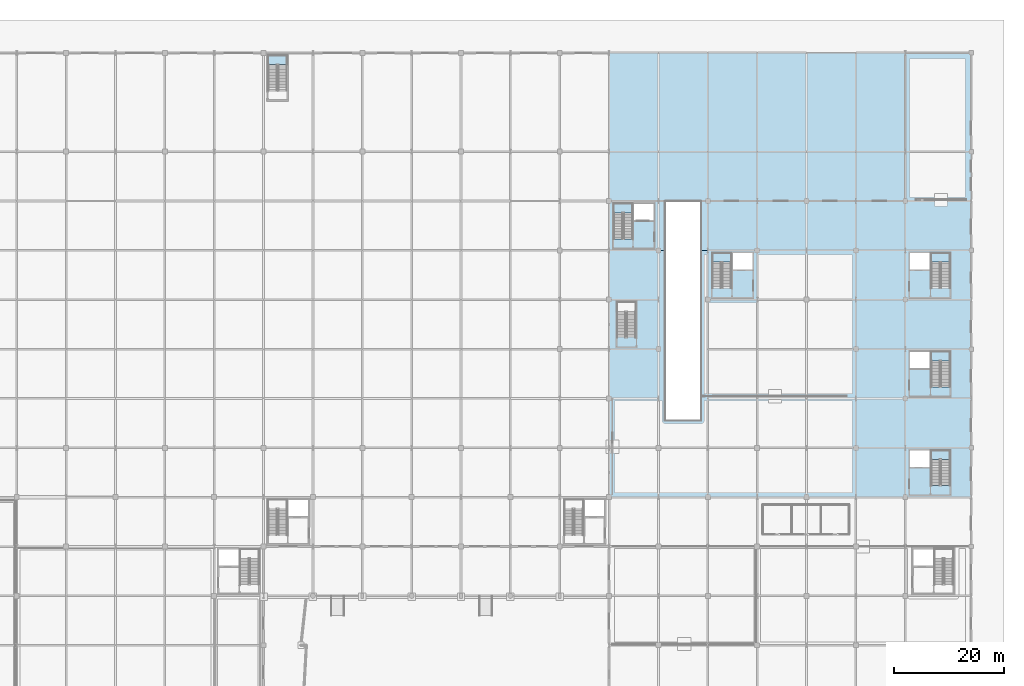
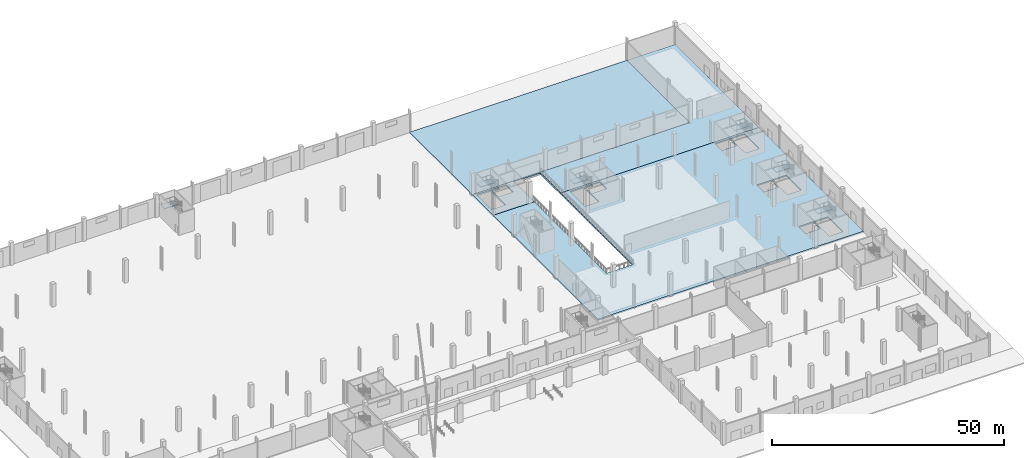
# One storey, part 25 of 58: 10 slabs, 6 elements without a shape of their own.
"""IFC4 building model written with IfcOpenShell, lengths in metres."""

from ifc_helpers import new_model, si_unit, direction, frame, origin, place, context, subcontext, project, spatial, polyline, outline, extrude, material, layer, layer_set, type_object, element, aggregate, save


model = new_model("IFC4")

# Units and contexts
model_context = context("Model", 3, precision=1e-05, world=origin(), true_north=direction((0.0, 1.0)))
body_context = subcontext(model_context, "Body", "Model", "MODEL_VIEW")
ifc_project = project(units=[si_unit("LENGTHUNIT", "METRE"), si_unit("AREAUNIT", "SQUARE_METRE"), si_unit("VOLUMEUNIT", "CUBIC_METRE"), si_unit("PLANEANGLEUNIT", "RADIAN"), si_unit("MASSUNIT", "GRAM", prefix="KILO")], contexts=[model_context])

# Site, building, storey
site_placement = place(None, origin())
site = spatial("IfcSite", under=ifc_project, at=site_placement, CompositionType="ELEMENT")
building_placement = place(site_placement, origin())
building = spatial("IfcBuilding", under=site, at=building_placement, Name="Barlavento Convention Centre", CompositionType="ELEMENT")
storey_placement = place(building_placement, origin())
storey = spatial("IfcBuildingStorey", under=building, at=storey_placement, Name="L00", CompositionType="ELEMENT", Elevation=0.0)

# Stair, slab
ifc_material = material(Name="Concrete C40/50", Category="concrete")
stair_type_1 = type_object("IfcStairType", Name="ARC-STR-DOG-1620", PredefinedType="HALF_TURN_STAIR", material=ifc_material)
stair_1_placement = place(storey_placement, origin())
stair_1 = element("IfcStair", 1, at=stair_1_placement, inside=storey, type_object=stair_type_1, Name="L00 ST05", PredefinedType="HALF_TURN_STAIR")
ifc_layer_1 = layer(ifc_material, 0.199951171875)
ifc_layer_set_1 = layer_set([ifc_layer_1], Name="ARC-SLB-LND-200")
slab_type_1 = type_object("IfcSlabType", Name="ARC-SLB-LND-200", PredefinedType="LANDING", material=ifc_layer_set_1)
slab_1_placement = place(storey_placement, frame((0.0, 0.0, 2.800048828125)))
slab_1 = element("IfcSlab", 2, at=slab_1_placement, type_object=slab_type_1, Name="ST05 landing 1", PredefinedType="LANDING", context=body_context, shape_type="SweptSolid", body=[
    extrude(outline(polyline([(188.14990234375, 60.85009765625), (188.14990234375, 62.530029296875), (184.7099609375, 62.530029296875), (184.7099609375, 60.85009765625), (188.14990234375, 60.85009765625)])), origin(), (0.0, 0.0, 1.0), 0.199951171875),
])
aggregate(stair_1, [slab_1])

stair_2_placement = place(storey_placement, origin())
stair_2 = element("IfcStair", 3, at=stair_2_placement, inside=storey, type_object=stair_type_1, Name="L00 ST07", PredefinedType="HALF_TURN_STAIR")
slab_2_placement = place(storey_placement, frame((0.0, 0.0, 2.800048828125)))
slab_2 = element("IfcSlab", 4, at=slab_2_placement, type_object=slab_type_1, Name="ST07 landing 1", PredefinedType="LANDING", context=body_context, shape_type="SweptSolid", body=[
    extrude(outline(polyline([(188.14990234375, 78.85009765625), (188.14990234375, 80.530029296875), (184.7099609375, 80.530029296875), (184.7099609375, 78.85009765625), (188.14990234375, 78.85009765625)])), origin(), (0.0, 0.0, 1.0), 0.199951171875),
])
aggregate(stair_2, [slab_2])

stair_3_placement = place(storey_placement, origin())
stair_3 = element("IfcStair", 5, at=stair_3_placement, inside=storey, type_object=stair_type_1, Name="L00 ST08", PredefinedType="HALF_TURN_STAIR")
slab_3_placement = place(storey_placement, frame((0.0, 0.0, 2.800048828125)))
slab_3 = element("IfcSlab", 6, at=slab_3_placement, type_object=slab_type_1, Name="ST08 landing 1", PredefinedType="LANDING", context=body_context, shape_type="SweptSolid", body=[
    extrude(outline(polyline([(188.14990234375, 96.85009765625), (188.14990234375, 98.530029296875), (184.7099609375, 98.530029296875), (184.7099609375, 96.85009765625), (188.14990234375, 96.85009765625)])), origin(), (0.0, 0.0, 1.0), 0.199951171875),
])
aggregate(stair_3, [slab_3])

stair_4_placement = place(storey_placement, origin())
stair_4 = element("IfcStair", 7, at=stair_4_placement, inside=storey, type_object=stair_type_1, Name="L00 ST09", PredefinedType="HALF_TURN_STAIR")
slab_4_placement = place(storey_placement, frame((0.0, 0.0, 2.800048828125)))
slab_4 = element("IfcSlab", 8, at=slab_4_placement, type_object=slab_type_1, Name="ST09 landing 1", PredefinedType="LANDING", context=body_context, shape_type="SweptSolid", body=[
    extrude(outline(polyline([(148.2900390625, 96.85009765625), (148.2900390625, 98.530029296875), (144.85009765625, 98.530029296875), (144.85009765625, 96.85009765625), (148.2900390625, 96.85009765625)])), origin(), (0.0, 0.0, 1.0), 0.199951171875),
])
aggregate(stair_4, [slab_4])

stair_type_2 = type_object("IfcStairType", Name="ARC-STR-DOG-1600", PredefinedType="HALF_TURN_STAIR", material=ifc_material)
stair_5_placement = place(storey_placement, origin())
stair_5 = element("IfcStair", 9, at=stair_5_placement, inside=storey, type_object=stair_type_2, Name="L00 ST10", PredefinedType="HALF_TURN_STAIR")
slab_5_placement = place(storey_placement, frame((0.0, 0.0, 2.800048828125)))
slab_5 = element("IfcSlab", 10, at=slab_5_placement, type_object=slab_type_1, Name="ST10 landing 1", PredefinedType="LANDING", context=body_context, shape_type="SweptSolid", body=[
    extrude(outline(polyline([(130.25, 105.830078125), (130.25, 107.530029296875), (126.85009765625, 107.530029296875), (126.85009765625, 105.830078125), (130.25, 105.830078125)])), origin(), (0.0, 0.0, 1.0), 0.199951171875),
])
aggregate(stair_5, [slab_5])

stair_6_placement = place(storey_placement, origin())
stair_6 = element("IfcStair", 11, at=stair_6_placement, inside=storey, type_object=stair_type_1, Name="L00 ST13", PredefinedType="HALF_TURN_STAIR")
slab_6_placement = place(storey_placement, frame((0.0, 0.0, 2.800048828125)))
slab_6 = element("IfcSlab", 12, at=slab_6_placement, type_object=slab_type_1, Name="ST13 landing 1", PredefinedType="LANDING", context=body_context, shape_type="SweptSolid", body=[
    extrude(outline(polyline([(67.2900390625, 132.85009765625), (67.2900390625, 134.530029296875), (63.85009765625, 134.530029296875), (63.85009765625, 132.85009765625), (67.2900390625, 132.85009765625)])), origin(), (0.0, 0.0, 1.0), 0.199951171875),
])
aggregate(stair_6, [slab_6])

# Slabs
ifc_layer_2 = layer(ifc_material, 0.31005859375)
ifc_layer_set_2 = layer_set([ifc_layer_2], Name="ARC-SLB-PAV-300")
slab_type_2 = type_object("IfcSlabType", Name="ARC-SLB-PAV-300", PredefinedType="FLOOR", material=ifc_layer_set_2)
slab_7_placement = place(storey_placement, frame((0.0, 0.0, -0.31005859375)))
element("IfcSlab", 13, at=slab_7_placement, inside=storey, type_object=slab_type_2, Name="L00 outdoor terrace or apron slab AS-03", PredefinedType="FLOOR", context=body_context, shape_type="SweptSolid", body=[
    extrude(outline(polyline([(126.0, 108.0), (180.0, 108.0), (180.0, 135.0), (126.0, 135.0), (126.0, 108.0)])), origin(), (0.0, 0.0, 1.0), 0.31005859375),
])
ifc_layer_3 = layer(ifc_material, 0.360107421875)
ifc_layer_set_3 = layer_set([ifc_layer_3], Name="STR-SLB-FLR-360")
slab_type_3 = type_object("IfcSlabType", Name="STR-SLB-FLR-360", PredefinedType="FLOOR", material=ifc_layer_set_3)
slab_8_placement = place(storey_placement, frame((0.0, 0.0, -0.360107421875)))
element("IfcSlab", 14, at=slab_8_placement, inside=storey, type_object=slab_type_3, Name="L00 structural slab FS-005", PredefinedType="FLOOR", context=body_context, shape_type="SweptSolid", body=[
    extrude(outline(polyline([(126.0, 54.0), (192.0, 54.0), (192.0, 99.0), (142.75, 99.0), (142.75, 68.0), (136.25, 68.0), (136.25, 99.0), (126.0, 99.0), (126.0, 54.0)]), holes=[polyline([(188.14990234375, 56.114990234375), (188.14990234375, 62.530029296875), (184.7099609375, 62.530029296875), (184.7099609375, 56.114990234375), (188.14990234375, 56.114990234375)]), polyline([(180.85009765625, 59.4951171875), (184.4599609375, 59.4951171875), (184.4599609375, 62.530029296875), (180.85009765625, 62.530029296875), (180.85009765625, 59.4951171875)]), polyline([(188.14990234375, 74.114990234375), (188.14990234375, 80.530029296875), (184.7099609375, 80.530029296875), (184.7099609375, 74.114990234375), (188.14990234375, 74.114990234375)]), polyline([(180.85009765625, 77.4951171875), (184.4599609375, 77.4951171875), (184.4599609375, 80.530029296875), (180.85009765625, 80.530029296875), (180.85009765625, 77.4951171875)]), polyline([(188.14990234375, 92.114990234375), (188.14990234375, 98.530029296875), (184.7099609375, 98.530029296875), (184.7099609375, 92.114990234375), (188.14990234375, 92.114990234375)]), polyline([(180.85009765625, 95.4951171875), (184.4599609375, 95.4951171875), (184.4599609375, 98.530029296875), (180.85009765625, 98.530029296875), (180.85009765625, 95.4951171875)]), polyline([(148.2900390625, 92.114990234375), (148.2900390625, 98.530029296875), (144.85009765625, 98.530029296875), (144.85009765625, 92.114990234375), (148.2900390625, 92.114990234375)]), polyline([(148.5400390625, 95.4951171875), (152.14990234375, 95.4951171875), (152.14990234375, 98.530029296875), (148.5400390625, 98.530029296875), (148.5400390625, 95.4951171875)])]), origin(), (0.0, 0.0, 1.0), 0.360107421875),
])
ifc_layer_4 = layer(ifc_material, 0.419921875)
ifc_layer_set_4 = layer_set([ifc_layer_4], Name="STR-SLB-SVC-420")
slab_type_4 = type_object("IfcSlabType", Name="STR-SLB-SVC-420", PredefinedType="FLOOR", material=ifc_layer_set_4)
slab_9_placement = place(storey_placement, frame((0.0, 0.0, -0.419921875)))
element("IfcSlab", 15, at=slab_9_placement, inside=storey, type_object=slab_type_4, Name="L00 structural slab FS-006", PredefinedType="FLOOR", context=body_context, shape_type="SweptSolid", body=[
    extrude(outline(polyline([(126.0, 99.0), (136.25, 99.0), (136.25, 108.0), (126.0, 108.0), (126.0, 99.0)]), holes=[polyline([(130.25, 101.094970703125), (130.25, 107.530029296875), (126.85009765625, 107.530029296875), (126.85009765625, 101.094970703125), (130.25, 101.094970703125)]), polyline([(130.5, 104.4951171875), (134.14990234375, 104.4951171875), (134.14990234375, 107.530029296875), (130.5, 107.530029296875), (130.5, 104.4951171875)])]), origin(), (0.0, 0.0, 1.0), 0.419921875),
])
slab_10_placement = place(storey_placement, frame((0.0, 0.0, -0.419921875)))
element("IfcSlab", 16, at=slab_10_placement, inside=storey, type_object=slab_type_4, Name="L00 structural slab FS-007", PredefinedType="FLOOR", context=body_context, shape_type="SweptSolid", body=[
    extrude(outline(polyline([(142.75, 99.0), (192.0, 99.0), (192.0, 135.0), (180.0, 135.0), (180.0, 108.0), (142.75, 108.0), (142.75, 99.0)])), origin(), (0.0, 0.0, 1.0), 0.419921875),
])

save(model, "model.ifc")
